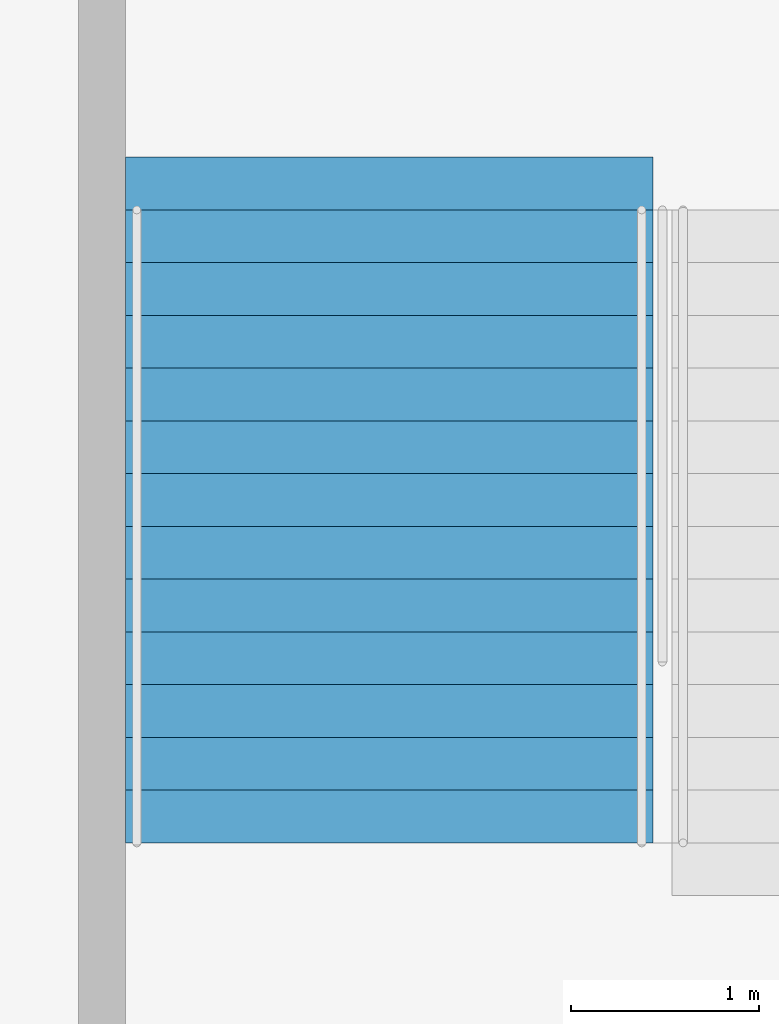
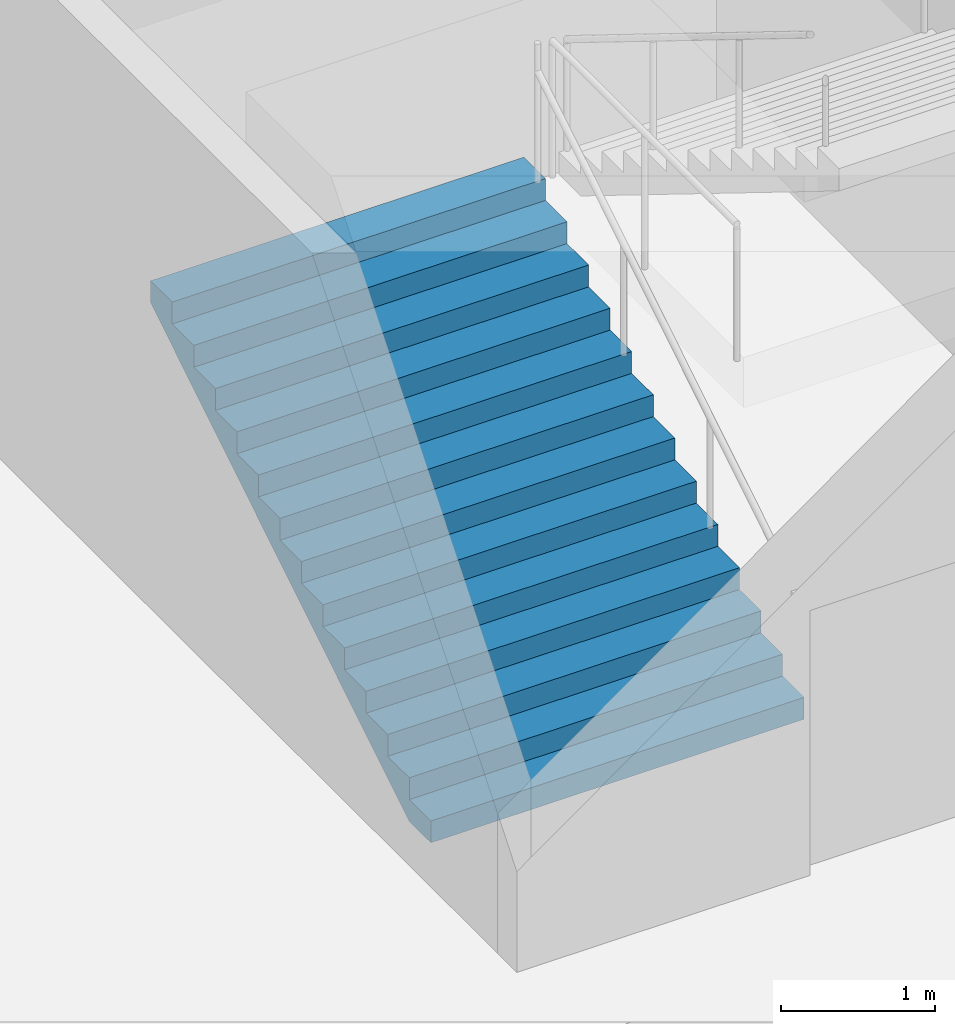
# One storey, part 132 of 175: 1 stair flight, 1 element without a shape of its own.
"""IFC4 building model written with IfcOpenShell, lengths in metres."""

from ifc_helpers import new_model, si_unit, direction, frame, origin, place, context, subcontext, project, spatial, faceted_brep, material, type_object, element, aggregate, save


model = new_model("IFC4")

# Units and contexts
model_context = context("Model", 3, precision=1e-05, world=origin(), true_north=direction((0.0, 1.0)))
body_context = subcontext(model_context, "Body", "Model", "MODEL_VIEW")
ifc_project = project(units=[si_unit("LENGTHUNIT", "METRE"), si_unit("AREAUNIT", "SQUARE_METRE"), si_unit("VOLUMEUNIT", "CUBIC_METRE"), si_unit("PLANEANGLEUNIT", "RADIAN"), si_unit("MASSUNIT", "GRAM", prefix="KILO")], contexts=[model_context])

# Site, building, storey
site_placement = place(None, origin())
site = spatial("IfcSite", under=ifc_project, at=site_placement, CompositionType="ELEMENT")
building_placement = place(site_placement, origin())
building = spatial("IfcBuilding", under=site, at=building_placement, Name="Ogive Plaza Stadium", CompositionType="ELEMENT")
storey_placement = place(building_placement, origin())
storey = spatial("IfcBuildingStorey", under=building, at=storey_placement, Name="L00", CompositionType="ELEMENT", Elevation=0.0)

# Stair, stair flight
ifc_material_1 = material(Name="Concrete C40/50", Category="concrete")
stair_type = type_object("IfcStairType", Name="Exit stair", PredefinedType="STRAIGHT_RUN_STAIR", material=ifc_material_1)
stair_placement = place(storey_placement, origin())
stair = element("IfcStair", 1, at=stair_placement, inside=storey, type_object=stair_type, Name="Exit stair ST34B L00 to L01", PredefinedType="STRAIGHT_RUN_STAIR")
ifc_material_2 = material(Name="Concrete C40/50", Category="concrete")
stair_flight_type = type_object("IfcStairFlightType", Name="Exit stair flight", PredefinedType="STRAIGHT", material=ifc_material_2)
stair_flight_placement = place(storey_placement, frame((-11.22509765625, 94.85009765625, 0.0), z_axis=(0.0, 0.0, 1.0), x_axis=(0.0, 1.0, 0.0)))
stair_flight = element("IfcStairFlight", 2, at=stair_flight_placement, type_object=stair_flight_type, Name="ST34B flight 1", NumberOfRisers=13, NumberOfTreads=12, PredefinedType="STRAIGHT", RiserHeight=0.173076923, TreadLength=0.28, context=body_context, shape_type="Brep", body=[
    faceted_brep([(0.28515625, -1.39990234375, 0.0), (3.639892578125, -1.39990234375, 2.07373046875), (3.639892578125, -1.39990234375, 2.25), (3.360107421875, -1.39990234375, 2.25), (3.360107421875, -1.39990234375, 2.076904296875), (3.080078125, -1.39990234375, 2.076904296875), (3.080078125, -1.39990234375, 1.90380859375), (2.800048828125, -1.39990234375, 1.90380859375), (2.800048828125, -1.39990234375, 1.730712890625), (2.52001953125, -1.39990234375, 1.730712890625), (2.52001953125, -1.39990234375, 1.5576171875), (2.239990234375, -1.39990234375, 1.5576171875), (2.239990234375, -1.39990234375, 1.384521484375), (1.9599609375, -1.39990234375, 1.384521484375), (1.9599609375, -1.39990234375, 1.21142578125), (1.679931640625, -1.39990234375, 1.21142578125), (1.679931640625, -1.39990234375, 1.03857421875), (1.39990234375, -1.39990234375, 1.03857421875), (1.39990234375, -1.39990234375, 0.865478515625), (1.1201171875, -1.39990234375, 0.865478515625), (1.1201171875, -1.39990234375, 0.6923828125), (0.840087890625, -1.39990234375, 0.6923828125), (0.840087890625, -1.39990234375, 0.519287109375), (0.56005859375, -1.39990234375, 0.519287109375), (0.56005859375, -1.39990234375, 0.34619140625), (0.280029296875, -1.39990234375, 0.34619140625), (0.280029296875, -1.39990234375, 0.173095703125), (0.0, -1.39990234375, 0.173095703125), (0.0, -1.39990234375, 0.0), (0.0, 1.39990234375, 0.0), (0.0, 1.39990234375, 0.173095703125), (0.280029296875, 1.39990234375, 0.173095703125), (0.280029296875, 1.39990234375, 0.34619140625), (0.56005859375, 1.39990234375, 0.34619140625), (0.56005859375, 1.39990234375, 0.519287109375), (0.840087890625, 1.39990234375, 0.519287109375), (0.840087890625, 1.39990234375, 0.6923828125), (1.1201171875, 1.39990234375, 0.6923828125), (1.1201171875, 1.39990234375, 0.865478515625), (1.39990234375, 1.39990234375, 0.865478515625), (1.39990234375, 1.39990234375, 1.03857421875), (1.679931640625, 1.39990234375, 1.03857421875), (1.679931640625, 1.39990234375, 1.21142578125), (1.9599609375, 1.39990234375, 1.21142578125), (1.9599609375, 1.39990234375, 1.384521484375), (2.239990234375, 1.39990234375, 1.384521484375), (2.239990234375, 1.39990234375, 1.5576171875), (2.52001953125, 1.39990234375, 1.5576171875), (2.52001953125, 1.39990234375, 1.730712890625), (2.800048828125, 1.39990234375, 1.730712890625), (2.800048828125, 1.39990234375, 1.90380859375), (3.080078125, 1.39990234375, 1.90380859375), (3.080078125, 1.39990234375, 2.076904296875), (3.360107421875, 1.39990234375, 2.076904296875), (3.360107421875, 1.39990234375, 2.25), (3.639892578125, 1.39990234375, 2.25), (3.639892578125, 1.39990234375, 2.07373046875), (0.28515625, 1.39990234375, 0.0), (0.28515625, -1.0888671875, 0.0), (3.639892578125, -1.0888671875, 2.07373046875), (0.28515625, -0.77783203125, 0.0), (3.639892578125, -0.77783203125, 2.07373046875), (0.28515625, -0.466796875, 0.0), (3.639892578125, -0.466796875, 2.07373046875), (0.28515625, -0.155517578125, 0.0), (3.639892578125, -0.155517578125, 2.07373046875), (0.28515625, 0.155517578125, 0.0), (3.639892578125, 0.155517578125, 2.07373046875), (0.28515625, 0.466796875, 0.0), (3.639892578125, 0.466796875, 2.07373046875), (0.28515625, 0.77783203125, 0.0), (3.639892578125, 0.77783203125, 2.07373046875), (0.28515625, 1.0888671875, 0.0), (3.639892578125, 1.0888671875, 2.07373046875), (3.639892578125, -1.0888671875, 2.25), (3.639892578125, -0.77783203125, 2.25), (3.639892578125, -0.466796875, 2.25), (3.639892578125, -0.155517578125, 2.25), (3.639892578125, 0.155517578125, 2.25), (3.639892578125, 0.466796875, 2.25), (3.639892578125, 0.77783203125, 2.25), (3.639892578125, 1.0888671875, 2.25), (3.360107421875, -1.0888671875, 2.25), (3.360107421875, -0.77783203125, 2.25), (3.360107421875, -0.466796875, 2.25), (3.360107421875, -0.155517578125, 2.25), (3.360107421875, 0.155517578125, 2.25), (3.360107421875, 0.466796875, 2.25), (3.360107421875, 0.77783203125, 2.25), (3.360107421875, 1.0888671875, 2.25), (3.360107421875, -1.0888671875, 2.076904296875), (3.360107421875, -0.77783203125, 2.076904296875), (3.360107421875, -0.466796875, 2.076904296875), (3.360107421875, -0.155517578125, 2.076904296875), (3.360107421875, 0.155517578125, 2.076904296875), (3.360107421875, 0.466796875, 2.076904296875), (3.360107421875, 0.77783203125, 2.076904296875), (3.360107421875, 1.0888671875, 2.076904296875), (3.080078125, -1.0888671875, 2.076904296875), (3.080078125, -0.77783203125, 2.076904296875), (3.080078125, -0.466796875, 2.076904296875), (3.080078125, -0.155517578125, 2.076904296875), (3.080078125, 0.155517578125, 2.076904296875), (3.080078125, 0.466796875, 2.076904296875), (3.080078125, 0.77783203125, 2.076904296875), (3.080078125, 1.0888671875, 2.076904296875), (3.080078125, -1.0888671875, 1.90380859375), (3.080078125, -0.77783203125, 1.90380859375), (3.080078125, -0.466796875, 1.90380859375), (3.080078125, -0.155517578125, 1.90380859375), (3.080078125, 0.155517578125, 1.90380859375), (3.080078125, 0.466796875, 1.90380859375), (3.080078125, 0.77783203125, 1.90380859375), (3.080078125, 1.0888671875, 1.90380859375), (2.800048828125, -1.0888671875, 1.90380859375), (2.800048828125, -0.77783203125, 1.90380859375), (2.800048828125, -0.466796875, 1.90380859375), (2.800048828125, -0.155517578125, 1.90380859375), (2.800048828125, 0.155517578125, 1.90380859375), (2.800048828125, 0.466796875, 1.90380859375), (2.800048828125, 0.77783203125, 1.90380859375), (2.800048828125, 1.0888671875, 1.90380859375), (2.800048828125, -1.0888671875, 1.730712890625), (2.800048828125, -0.77783203125, 1.730712890625), (2.800048828125, -0.466796875, 1.730712890625), (2.800048828125, -0.155517578125, 1.730712890625), (2.800048828125, 0.155517578125, 1.730712890625), (2.800048828125, 0.466796875, 1.730712890625), (2.800048828125, 0.77783203125, 1.730712890625), (2.800048828125, 1.0888671875, 1.730712890625), (2.52001953125, -1.0888671875, 1.730712890625), (2.52001953125, -0.77783203125, 1.730712890625), (2.52001953125, -0.466796875, 1.730712890625), (2.52001953125, -0.155517578125, 1.730712890625), (2.52001953125, 0.155517578125, 1.730712890625), (2.52001953125, 0.466796875, 1.730712890625), (2.52001953125, 0.77783203125, 1.730712890625), (2.52001953125, 1.0888671875, 1.730712890625), (2.52001953125, -1.0888671875, 1.5576171875), (2.52001953125, -0.77783203125, 1.5576171875), (2.52001953125, -0.466796875, 1.5576171875), (2.52001953125, -0.155517578125, 1.5576171875), (2.52001953125, 0.155517578125, 1.5576171875), (2.52001953125, 0.466796875, 1.5576171875), (2.52001953125, 0.77783203125, 1.5576171875), (2.52001953125, 1.0888671875, 1.5576171875), (2.239990234375, -1.0888671875, 1.5576171875), (2.239990234375, -0.77783203125, 1.5576171875), (2.239990234375, -0.466796875, 1.5576171875), (2.239990234375, -0.155517578125, 1.5576171875), (2.239990234375, 0.155517578125, 1.5576171875), (2.239990234375, 0.466796875, 1.5576171875), (2.239990234375, 0.77783203125, 1.5576171875), (2.239990234375, 1.0888671875, 1.5576171875), (2.239990234375, -1.0888671875, 1.384521484375), (2.239990234375, -0.77783203125, 1.384521484375), (2.239990234375, -0.466796875, 1.384521484375), (2.239990234375, -0.155517578125, 1.384521484375), (2.239990234375, 0.155517578125, 1.384521484375), (2.239990234375, 0.466796875, 1.384521484375), (2.239990234375, 0.77783203125, 1.384521484375), (2.239990234375, 1.0888671875, 1.384521484375), (1.9599609375, -1.0888671875, 1.384521484375), (1.9599609375, -0.77783203125, 1.384521484375), (1.9599609375, -0.466796875, 1.384521484375), (1.9599609375, -0.155517578125, 1.384521484375), (1.9599609375, 0.155517578125, 1.384521484375), (1.9599609375, 0.466796875, 1.384521484375), (1.9599609375, 0.77783203125, 1.384521484375), (1.9599609375, 1.0888671875, 1.384521484375), (1.9599609375, -1.0888671875, 1.21142578125), (1.9599609375, -0.77783203125, 1.21142578125), (1.9599609375, -0.466796875, 1.21142578125), (1.9599609375, -0.155517578125, 1.21142578125), (1.9599609375, 0.155517578125, 1.21142578125), (1.9599609375, 0.466796875, 1.21142578125), (1.9599609375, 0.77783203125, 1.21142578125), (1.9599609375, 1.0888671875, 1.21142578125), (1.679931640625, -1.0888671875, 1.21142578125), (1.679931640625, -0.77783203125, 1.21142578125), (1.679931640625, -0.466796875, 1.21142578125), (1.679931640625, -0.155517578125, 1.21142578125), (1.679931640625, 0.155517578125, 1.21142578125), (1.679931640625, 0.466796875, 1.21142578125), (1.679931640625, 0.77783203125, 1.21142578125), (1.679931640625, 1.0888671875, 1.21142578125), (1.679931640625, -1.0888671875, 1.03857421875), (1.679931640625, -0.77783203125, 1.03857421875), (1.679931640625, -0.466796875, 1.03857421875), (1.679931640625, -0.155517578125, 1.03857421875), (1.679931640625, 0.155517578125, 1.03857421875), (1.679931640625, 0.466796875, 1.03857421875), (1.679931640625, 0.77783203125, 1.03857421875), (1.679931640625, 1.0888671875, 1.03857421875), (1.39990234375, -1.0888671875, 1.03857421875), (1.39990234375, -0.77783203125, 1.03857421875), (1.39990234375, -0.466796875, 1.03857421875), (1.39990234375, -0.155517578125, 1.03857421875), (1.39990234375, 0.155517578125, 1.03857421875), (1.39990234375, 0.466796875, 1.03857421875), (1.39990234375, 0.77783203125, 1.03857421875), (1.39990234375, 1.0888671875, 1.03857421875), (1.39990234375, -1.0888671875, 0.865478515625), (1.39990234375, -0.77783203125, 0.865478515625), (1.39990234375, -0.466796875, 0.865478515625), (1.39990234375, -0.155517578125, 0.865478515625), (1.39990234375, 0.155517578125, 0.865478515625), (1.39990234375, 0.466796875, 0.865478515625), (1.39990234375, 0.77783203125, 0.865478515625), (1.39990234375, 1.0888671875, 0.865478515625), (1.1201171875, -1.0888671875, 0.865478515625), (1.1201171875, -0.77783203125, 0.865478515625), (1.1201171875, -0.466796875, 0.865478515625), (1.1201171875, -0.155517578125, 0.865478515625), (1.1201171875, 0.155517578125, 0.865478515625), (1.1201171875, 0.466796875, 0.865478515625), (1.1201171875, 0.77783203125, 0.865478515625), (1.1201171875, 1.0888671875, 0.865478515625), (1.1201171875, -1.0888671875, 0.6923828125), (1.1201171875, -0.77783203125, 0.6923828125), (1.1201171875, -0.466796875, 0.6923828125), (1.1201171875, -0.155517578125, 0.6923828125), (1.1201171875, 0.155517578125, 0.6923828125), (1.1201171875, 0.466796875, 0.6923828125), (1.1201171875, 0.77783203125, 0.6923828125), (1.1201171875, 1.0888671875, 0.6923828125), (0.840087890625, -1.0888671875, 0.6923828125), (0.840087890625, -0.77783203125, 0.6923828125), (0.840087890625, -0.466796875, 0.6923828125), (0.840087890625, -0.155517578125, 0.6923828125), (0.840087890625, 0.155517578125, 0.6923828125), (0.840087890625, 0.466796875, 0.6923828125), (0.840087890625, 0.77783203125, 0.6923828125), (0.840087890625, 1.0888671875, 0.6923828125), (0.840087890625, -1.0888671875, 0.519287109375), (0.840087890625, -0.77783203125, 0.519287109375), (0.840087890625, -0.466796875, 0.519287109375), (0.840087890625, -0.155517578125, 0.519287109375), (0.840087890625, 0.155517578125, 0.519287109375), (0.840087890625, 0.466796875, 0.519287109375), (0.840087890625, 0.77783203125, 0.519287109375), (0.840087890625, 1.0888671875, 0.519287109375), (0.56005859375, -1.0888671875, 0.519287109375), (0.56005859375, -0.77783203125, 0.519287109375), (0.56005859375, -0.466796875, 0.519287109375), (0.56005859375, -0.155517578125, 0.519287109375), (0.56005859375, 0.155517578125, 0.519287109375), (0.56005859375, 0.466796875, 0.519287109375), (0.56005859375, 0.77783203125, 0.519287109375), (0.56005859375, 1.0888671875, 0.519287109375), (0.56005859375, -1.0888671875, 0.34619140625), (0.56005859375, -0.77783203125, 0.34619140625), (0.56005859375, -0.466796875, 0.34619140625), (0.56005859375, -0.155517578125, 0.34619140625), (0.56005859375, 0.155517578125, 0.34619140625), (0.56005859375, 0.466796875, 0.34619140625), (0.56005859375, 0.77783203125, 0.34619140625), (0.56005859375, 1.0888671875, 0.34619140625), (0.280029296875, -1.0888671875, 0.34619140625), (0.280029296875, -0.77783203125, 0.34619140625), (0.280029296875, -0.466796875, 0.34619140625), (0.280029296875, -0.155517578125, 0.34619140625), (0.280029296875, 0.155517578125, 0.34619140625), (0.280029296875, 0.466796875, 0.34619140625), (0.280029296875, 0.77783203125, 0.34619140625), (0.280029296875, 1.0888671875, 0.34619140625), (0.280029296875, -1.0888671875, 0.173095703125), (0.280029296875, -0.77783203125, 0.173095703125), (0.280029296875, -0.466796875, 0.173095703125), (0.280029296875, -0.155517578125, 0.173095703125), (0.280029296875, 0.155517578125, 0.173095703125), (0.280029296875, 0.466796875, 0.173095703125), (0.280029296875, 0.77783203125, 0.173095703125), (0.280029296875, 1.0888671875, 0.173095703125), (0.0, -1.0888671875, 0.173095703125), (0.0, -0.77783203125, 0.173095703125), (0.0, -0.466796875, 0.173095703125), (0.0, -0.155517578125, 0.173095703125), (0.0, 0.155517578125, 0.173095703125), (0.0, 0.466796875, 0.173095703125), (0.0, 0.77783203125, 0.173095703125), (0.0, 1.0888671875, 0.173095703125), (0.0, -1.0888671875, 0.0), (0.0, -0.77783203125, 0.0), (0.0, -0.466796875, 0.0), (0.0, -0.155517578125, 0.0), (0.0, 0.155517578125, 0.0), (0.0, 0.466796875, 0.0), (0.0, 0.77783203125, 0.0), (0.0, 1.0888671875, 0.0)], [[[0, 1, 2, 3, 4, 5, 6, 7, 8, 9, 10, 11, 12, 13, 14, 15, 16, 17, 18, 19, 20, 21, 22, 23, 24, 25, 26, 27, 28]], [[29, 30, 31, 32, 33, 34, 35, 36, 37, 38, 39, 40, 41, 42, 43, 44, 45, 46, 47, 48, 49, 50, 51, 52, 53, 54, 55, 56, 57]], [[0, 58, 59, 1]], [[58, 60, 61, 59]], [[60, 62, 63, 61]], [[62, 64, 65, 63]], [[64, 66, 67, 65]], [[66, 68, 69, 67]], [[68, 70, 71, 69]], [[70, 72, 73, 71]], [[72, 57, 56, 73]], [[1, 59, 74, 2]], [[59, 61, 75, 74]], [[61, 63, 76, 75]], [[63, 65, 77, 76]], [[65, 67, 78, 77]], [[67, 69, 79, 78]], [[69, 71, 80, 79]], [[71, 73, 81, 80]], [[73, 56, 55, 81]], [[2, 74, 82, 3]], [[74, 75, 83, 82]], [[75, 76, 84, 83]], [[76, 77, 85, 84]], [[77, 78, 86, 85]], [[78, 79, 87, 86]], [[79, 80, 88, 87]], [[80, 81, 89, 88]], [[81, 55, 54, 89]], [[3, 82, 90, 4]], [[82, 83, 91, 90]], [[83, 84, 92, 91]], [[84, 85, 93, 92]], [[85, 86, 94, 93]], [[86, 87, 95, 94]], [[87, 88, 96, 95]], [[88, 89, 97, 96]], [[89, 54, 53, 97]], [[4, 90, 98, 5]], [[90, 91, 99, 98]], [[91, 92, 100, 99]], [[92, 93, 101, 100]], [[93, 94, 102, 101]], [[94, 95, 103, 102]], [[95, 96, 104, 103]], [[96, 97, 105, 104]], [[97, 53, 52, 105]], [[5, 98, 106, 6]], [[98, 99, 107, 106]], [[99, 100, 108, 107]], [[100, 101, 109, 108]], [[101, 102, 110, 109]], [[102, 103, 111, 110]], [[103, 104, 112, 111]], [[104, 105, 113, 112]], [[105, 52, 51, 113]], [[6, 106, 114, 7]], [[106, 107, 115, 114]], [[107, 108, 116, 115]], [[108, 109, 117, 116]], [[109, 110, 118, 117]], [[110, 111, 119, 118]], [[111, 112, 120, 119]], [[112, 113, 121, 120]], [[113, 51, 50, 121]], [[7, 114, 122, 8]], [[114, 115, 123, 122]], [[115, 116, 124, 123]], [[116, 117, 125, 124]], [[117, 118, 126, 125]], [[118, 119, 127, 126]], [[119, 120, 128, 127]], [[120, 121, 129, 128]], [[121, 50, 49, 129]], [[8, 122, 130, 9]], [[122, 123, 131, 130]], [[123, 124, 132, 131]], [[124, 125, 133, 132]], [[125, 126, 134, 133]], [[126, 127, 135, 134]], [[127, 128, 136, 135]], [[128, 129, 137, 136]], [[129, 49, 48, 137]], [[9, 130, 138, 10]], [[130, 131, 139, 138]], [[131, 132, 140, 139]], [[132, 133, 141, 140]], [[133, 134, 142, 141]], [[134, 135, 143, 142]], [[135, 136, 144, 143]], [[136, 137, 145, 144]], [[137, 48, 47, 145]], [[10, 138, 146, 11]], [[138, 139, 147, 146]], [[139, 140, 148, 147]], [[140, 141, 149, 148]], [[141, 142, 150, 149]], [[142, 143, 151, 150]], [[143, 144, 152, 151]], [[144, 145, 153, 152]], [[145, 47, 46, 153]], [[11, 146, 154, 12]], [[146, 147, 155, 154]], [[147, 148, 156, 155]], [[148, 149, 157, 156]], [[149, 150, 158, 157]], [[150, 151, 159, 158]], [[151, 152, 160, 159]], [[152, 153, 161, 160]], [[153, 46, 45, 161]], [[12, 154, 162, 13]], [[154, 155, 163, 162]], [[155, 156, 164, 163]], [[156, 157, 165, 164]], [[157, 158, 166, 165]], [[158, 159, 167, 166]], [[159, 160, 168, 167]], [[160, 161, 169, 168]], [[161, 45, 44, 169]], [[13, 162, 170, 14]], [[162, 163, 171, 170]], [[163, 164, 172, 171]], [[164, 165, 173, 172]], [[165, 166, 174, 173]], [[166, 167, 175, 174]], [[167, 168, 176, 175]], [[168, 169, 177, 176]], [[169, 44, 43, 177]], [[14, 170, 178, 15]], [[170, 171, 179, 178]], [[171, 172, 180, 179]], [[172, 173, 181, 180]], [[173, 174, 182, 181]], [[174, 175, 183, 182]], [[175, 176, 184, 183]], [[176, 177, 185, 184]], [[177, 43, 42, 185]], [[15, 178, 186, 16]], [[178, 179, 187, 186]], [[179, 180, 188, 187]], [[180, 181, 189, 188]], [[181, 182, 190, 189]], [[182, 183, 191, 190]], [[183, 184, 192, 191]], [[184, 185, 193, 192]], [[185, 42, 41, 193]], [[16, 186, 194, 17]], [[186, 187, 195, 194]], [[187, 188, 196, 195]], [[188, 189, 197, 196]], [[189, 190, 198, 197]], [[190, 191, 199, 198]], [[191, 192, 200, 199]], [[192, 193, 201, 200]], [[193, 41, 40, 201]], [[17, 194, 202, 18]], [[194, 195, 203, 202]], [[195, 196, 204, 203]], [[196, 197, 205, 204]], [[197, 198, 206, 205]], [[198, 199, 207, 206]], [[199, 200, 208, 207]], [[200, 201, 209, 208]], [[201, 40, 39, 209]], [[18, 202, 210, 19]], [[202, 203, 211, 210]], [[203, 204, 212, 211]], [[204, 205, 213, 212]], [[205, 206, 214, 213]], [[206, 207, 215, 214]], [[207, 208, 216, 215]], [[208, 209, 217, 216]], [[209, 39, 38, 217]], [[19, 210, 218, 20]], [[210, 211, 219, 218]], [[211, 212, 220, 219]], [[212, 213, 221, 220]], [[213, 214, 222, 221]], [[214, 215, 223, 222]], [[215, 216, 224, 223]], [[216, 217, 225, 224]], [[217, 38, 37, 225]], [[20, 218, 226, 21]], [[218, 219, 227, 226]], [[219, 220, 228, 227]], [[220, 221, 229, 228]], [[221, 222, 230, 229]], [[222, 223, 231, 230]], [[223, 224, 232, 231]], [[224, 225, 233, 232]], [[225, 37, 36, 233]], [[21, 226, 234, 22]], [[226, 227, 235, 234]], [[227, 228, 236, 235]], [[228, 229, 237, 236]], [[229, 230, 238, 237]], [[230, 231, 239, 238]], [[231, 232, 240, 239]], [[232, 233, 241, 240]], [[233, 36, 35, 241]], [[22, 234, 242, 23]], [[234, 235, 243, 242]], [[235, 236, 244, 243]], [[236, 237, 245, 244]], [[237, 238, 246, 245]], [[238, 239, 247, 246]], [[239, 240, 248, 247]], [[240, 241, 249, 248]], [[241, 35, 34, 249]], [[23, 242, 250, 24]], [[242, 243, 251, 250]], [[243, 244, 252, 251]], [[244, 245, 253, 252]], [[245, 246, 254, 253]], [[246, 247, 255, 254]], [[247, 248, 256, 255]], [[248, 249, 257, 256]], [[249, 34, 33, 257]], [[24, 250, 258, 25]], [[250, 251, 259, 258]], [[251, 252, 260, 259]], [[252, 253, 261, 260]], [[253, 254, 262, 261]], [[254, 255, 263, 262]], [[255, 256, 264, 263]], [[256, 257, 265, 264]], [[257, 33, 32, 265]], [[25, 258, 266, 26]], [[258, 259, 267, 266]], [[259, 260, 268, 267]], [[260, 261, 269, 268]], [[261, 262, 270, 269]], [[262, 263, 271, 270]], [[263, 264, 272, 271]], [[264, 265, 273, 272]], [[265, 32, 31, 273]], [[26, 266, 274, 27]], [[266, 267, 275, 274]], [[267, 268, 276, 275]], [[268, 269, 277, 276]], [[269, 270, 278, 277]], [[270, 271, 279, 278]], [[271, 272, 280, 279]], [[272, 273, 281, 280]], [[273, 31, 30, 281]], [[27, 274, 282, 28]], [[274, 275, 283, 282]], [[275, 276, 284, 283]], [[276, 277, 285, 284]], [[277, 278, 286, 285]], [[278, 279, 287, 286]], [[279, 280, 288, 287]], [[280, 281, 289, 288]], [[281, 30, 29, 289]], [[28, 282, 58, 0]], [[282, 283, 60, 58]], [[283, 284, 62, 60]], [[284, 285, 64, 62]], [[285, 286, 66, 64]], [[286, 287, 68, 66]], [[287, 288, 70, 68]], [[288, 289, 72, 70]], [[289, 29, 57, 72]]]),
])
aggregate(stair, [stair_flight])

save(model, "model.ifc")
